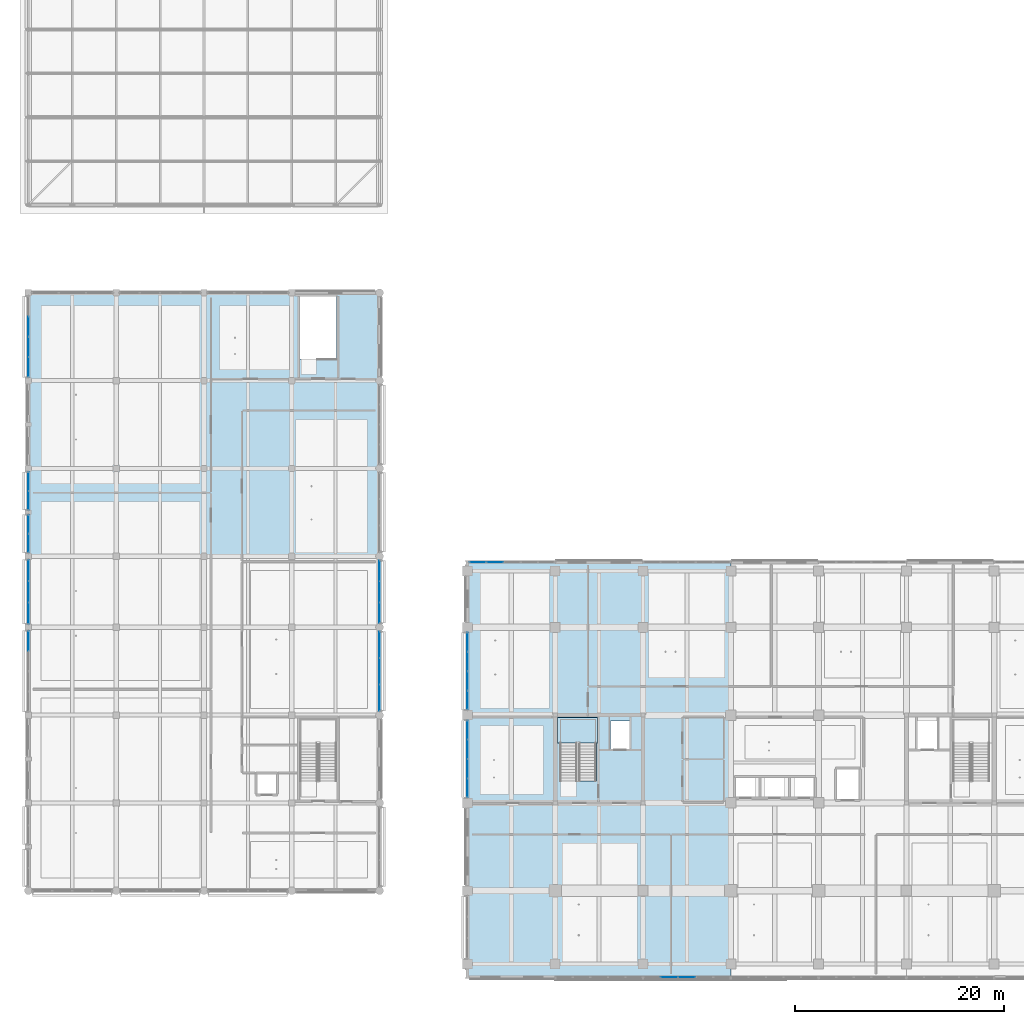
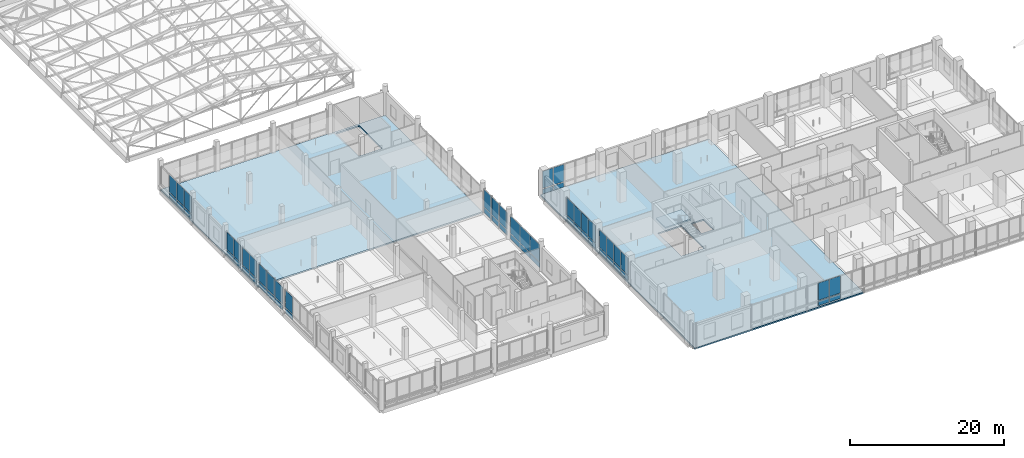
# One storey, part 43 of 122: 58 plates, 3 slabs, 12 elements without a shape of their own.
"""IFC4 building model written with IfcOpenShell, lengths in metres."""

from ifc_helpers import new_model, si_unit, direction, frame, origin, origin_2d, place, context, subcontext, project, spatial, polyline, rectangle, outline, extrude, material, layer, layer_set, type_object, element, aggregate, save


model = new_model("IFC4")

# Units and contexts
model_context = context("Model", 3, precision=1e-05, world=origin(), true_north=direction((0.0, 1.0)))
body_context = subcontext(model_context, "Body", "Model", "MODEL_VIEW")
ifc_project = project(units=[si_unit("LENGTHUNIT", "METRE"), si_unit("AREAUNIT", "SQUARE_METRE"), si_unit("VOLUMEUNIT", "CUBIC_METRE"), si_unit("PLANEANGLEUNIT", "RADIAN"), si_unit("MASSUNIT", "GRAM", prefix="KILO")], contexts=[model_context])

# Site, building, storey
site_placement = place(None, origin())
site = spatial("IfcSite", under=ifc_project, at=site_placement, CompositionType="ELEMENT")
building_placement = place(site_placement, origin())
building = spatial("IfcBuilding", under=site, at=building_placement, Name="Telukmera Botanical Conservatory", CompositionType="ELEMENT")
storey_placement = place(building_placement, frame((0.0, 0.0, 10.199951171875)))
storey = spatial("IfcBuildingStorey", under=building, at=storey_placement, Name="L02", CompositionType="ELEMENT", Elevation=10.199951171875)

# Stair, slab
ifc_material_1 = material(Name="Concrete C40/50", Category="concrete")
stair_type = type_object("IfcStairType", Name="ST-ESC-4800", PredefinedType="HALF_TURN_STAIR", material=ifc_material_1)
stair_placement = place(storey_placement, origin())
stair = element("IfcStair", 1, at=stair_placement, inside=storey, type_object=stair_type, Name="L02 Protected Escape Stair ST1", PredefinedType="HALF_TURN_STAIR")
ifc_layer_1 = layer(ifc_material_1, 0.199951171875)
ifc_layer_set_1 = layer_set([ifc_layer_1], Name="Concrete C40/50")
slab_type_1 = type_object("IfcSlabType", Name="SL-LAND-200", PredefinedType="LANDING", material=ifc_layer_set_1)
slab_1_placement = place(storey_placement, frame((0.0, 0.0, 2.199951171875)))
slab_1 = element("IfcSlab", 2, at=slab_1_placement, type_object=slab_type_1, Name="ST1 landing 1", PredefinedType="LANDING", context=body_context, shape_type="SweptSolid", body=[
    extrude(outline(polyline([(59.0048828125, 31.72998046875), (62.844970703125, 31.72998046875), (62.844970703125, 34.195068359375), (59.0048828125, 34.195068359375), (59.0048828125, 31.72998046875)])), origin(), (0.0, 0.0, 1.0), 0.2001953125),
])
aggregate(stair, [slab_1])

# Slabs
ifc_layer_2 = layer(ifc_material_1, 0.219970703125)
ifc_layer_set_2 = layer_set([ifc_layer_2], Name="Concrete C40/50")
slab_type_2 = type_object("IfcSlabType", Name="Slab_FS22", PredefinedType="FLOOR", material=ifc_layer_set_2)
slab_2_placement = place(storey_placement, frame((0.0, 0.0, -0.219970703125)))
element("IfcSlab", 3, at=slab_2_placement, inside=storey, type_object=slab_type_2, Name="Tower Floor Slab L02 (WEST)", PredefinedType="FLOOR", context=body_context, shape_type="SweptSolid", body=[
    extrude(outline(polyline([(50.39990234375, 9.199951171875), (75.60009765625, 9.199951171875), (75.60009765625, 49.199951171875), (50.39990234375, 49.199951171875), (50.39990234375, 9.199951171875)]), holes=[polyline([(62.72998046875, 28.093017578125), (62.72998046875, 34.050048828125), (59.25, 34.050048828125), (59.25, 28.093017578125), (62.72998046875, 28.093017578125)]), polyline([(64.080078125, 31.179931640625), (65.919921875, 31.179931640625), (65.919921875, 33.820068359375), (64.080078125, 33.820068359375), (64.080078125, 31.179931640625)])]), origin(), (0.0, 0.0, 1.0), 0.219970703125),
])
slab_3_placement = place(storey_placement, frame((0.0, 0.0, -0.219970703125)))
element("IfcSlab", 4, at=slab_3_placement, inside=storey, type_object=slab_type_2, Name="Visitor Centre North Floor Slab L02", PredefinedType="FLOOR", context=body_context, shape_type="SweptSolid", body=[
    extrude(outline(polyline([(8.39990234375, 49.60009765625), (42.0, 49.60009765625), (42.0, 74.800048828125), (8.39990234375, 74.800048828125), (8.39990234375, 49.60009765625)]), holes=[polyline([(37.8798828125, 68.492919921875), (37.8798828125, 74.449951171875), (34.39990234375, 74.449951171875), (34.39990234375, 68.492919921875), (37.8798828125, 68.492919921875)])]), origin(), (0.0, 0.0, 1.0), 0.219970703125),
])

# Curtain wall, plates
ifc_material_2 = material(Name="Anodised aluminium 6063-T6", Category="aluminium")
ifc_layer_3 = layer(ifc_material_2, 0.179931640625)
ifc_layer_set_3 = layer_set([ifc_layer_3], Name="Anodised aluminium 6063-T6")
curtain_wall_type_1 = type_object("IfcCurtainWallType", Name="Visitor Gallery Second Floor Curtain Wall 2400 Mod", PredefinedType="USERDEFINED", material=ifc_layer_set_3)
curtain_wall_1_placement = place(storey_placement, origin())
curtain_wall_1 = element("IfcCurtainWall", 5, at=curtain_wall_1_placement, inside=storey, type_object=curtain_wall_type_1, Name="Unitised Curtain Wall CW09 V3:L02:E3", ObjectType="UNITISED CURTAIN WALL", PredefinedType="USERDEFINED")
ifc_material_3 = material(Name="Spectrally selective low-E double glazing", Category="glass")
ifc_layer_4 = layer(ifc_material_3, 0.0380859375)
ifc_layer_set_4 = layer_set([ifc_layer_4], Name="Spectrally selective low-E double glazing")
plate_type_1 = type_object("IfcPlateType", Name="Solar Control Fritted Spandrel Glazing Panel 38", PredefinedType="CURTAIN_PANEL", material=ifc_layer_set_4)
plate_1_placement = place(storey_placement, frame((42.0, 36.067626953125, 0.130126953125), z_axis=(0.0, 0.0, 1.0), x_axis=(0.0, 1.0, 0.0)))
plate_1 = element("IfcPlate", 6, at=plate_1_placement, type_object=plate_type_1, Name="CW09 panel 1.1", PredefinedType="CURTAIN_PANEL", context=body_context, shape_type="SweptSolid", body=[
    extrude(rectangle(XDim=2.451171875, YDim=0.0380859375, at=origin_2d()), origin(), (0.0, 0.0, 1.0), 0.7548828125),
])
plate_2_placement = place(storey_placement, frame((42.0, 36.067626953125, 1.014892578125), z_axis=(0.0, 0.0, 1.0), x_axis=(0.0, 1.0, 0.0)))
plate_2 = element("IfcPlate", 7, at=plate_2_placement, type_object=plate_type_1, Name="CW09 panel 1.2", PredefinedType="CURTAIN_PANEL", context=body_context, shape_type="SweptSolid", body=[
    extrude(rectangle(XDim=2.451171875, YDim=0.0380859375, at=origin_2d()), origin(), (0.0, 0.0, 1.0), 2.705078125),
])
plate_3_placement = place(storey_placement, frame((42.0, 38.60009765625, 0.130126953125), z_axis=(0.0, 0.0, 1.0), x_axis=(0.0, 1.0, 0.0)))
plate_3 = element("IfcPlate", 8, at=plate_3_placement, type_object=plate_type_1, Name="CW09 panel 2.1", PredefinedType="CURTAIN_PANEL", context=body_context, shape_type="SweptSolid", body=[
    extrude(rectangle(XDim=2.483642578125, YDim=0.0380859375, at=origin_2d()), origin(), (0.0, 0.0, 1.0), 0.7548828125),
])
plate_4_placement = place(storey_placement, frame((42.0, 38.60009765625, 1.014892578125), z_axis=(0.0, 0.0, 1.0), x_axis=(0.0, 1.0, 0.0)))
plate_4 = element("IfcPlate", 9, at=plate_4_placement, type_object=plate_type_1, Name="CW09 panel 2.2", PredefinedType="CURTAIN_PANEL", context=body_context, shape_type="SweptSolid", body=[
    extrude(rectangle(XDim=2.483642578125, YDim=0.0380859375, at=origin_2d()), origin(), (0.0, 0.0, 1.0), 2.705078125),
])
plate_5_placement = place(storey_placement, frame((42.0, 41.13232421875, 0.130126953125), z_axis=(0.0, 0.0, 1.0), x_axis=(0.0, 1.0, 0.0)))
plate_5 = element("IfcPlate", 10, at=plate_5_placement, type_object=plate_type_1, Name="CW09 panel 3.1", PredefinedType="CURTAIN_PANEL", context=body_context, shape_type="SweptSolid", body=[
    extrude(rectangle(XDim=2.451171875, YDim=0.0380859375, at=origin_2d()), origin(), (0.0, 0.0, 1.0), 0.7548828125),
])
plate_6_placement = place(storey_placement, frame((42.0, 41.13232421875, 1.014892578125), z_axis=(0.0, 0.0, 1.0), x_axis=(0.0, 1.0, 0.0)))
plate_6 = element("IfcPlate", 11, at=plate_6_placement, type_object=plate_type_1, Name="CW09 panel 3.2", PredefinedType="CURTAIN_PANEL", context=body_context, shape_type="SweptSolid", body=[
    extrude(rectangle(XDim=2.451171875, YDim=0.0380859375, at=origin_2d()), origin(), (0.0, 0.0, 1.0), 2.705078125),
])
aggregate(curtain_wall_1, [plate_1, plate_2, plate_3, plate_4, plate_5, plate_6])

ifc_layer_5 = layer(ifc_material_2, 0.179931640625)
ifc_layer_set_5 = layer_set([ifc_layer_5], Name="Anodised aluminium 6063-T6")
curtain_wall_type_2 = type_object("IfcCurtainWallType", Name="Visitor Gallery First Floor Curtain Wall 1800 Mod", PredefinedType="USERDEFINED", material=ifc_layer_set_5)
curtain_wall_2_placement = place(storey_placement, origin())
curtain_wall_2 = element("IfcCurtainWall", 12, at=curtain_wall_2_placement, inside=storey, type_object=curtain_wall_type_2, Name="Unitised Curtain Wall CW08 V3:L02:W3", ObjectType="UNITISED CURTAIN WALL", PredefinedType="USERDEFINED")
ifc_layer_6 = layer(ifc_material_3, 0.028076171875)
ifc_layer_set_6 = layer_set([ifc_layer_6], Name="Spectrally selective low-E double glazing")
plate_type_2 = type_object("IfcPlateType", Name="Spectrally Selective Vision Double Glazing Panel 28", PredefinedType="CURTAIN_PANEL", material=ifc_layer_set_6)
plate_7_placement = place(storey_placement, frame((8.39990234375, 41.50732421875, 0.130126953125), z_axis=(0.0, 0.0, 1.0), x_axis=(0.0, 1.0, 0.0)))
plate_7 = element("IfcPlate", 13, at=plate_7_placement, type_object=plate_type_2, Name="CW08 panel 4.1", PredefinedType="CURTAIN_PANEL", context=body_context, shape_type="SweptSolid", body=[
    extrude(rectangle(XDim=1.8515625, YDim=0.028076171875, at=origin_2d()), origin(), (0.0, 0.0, 1.0), 0.7548828125),
])
plate_8_placement = place(storey_placement, frame((8.39990234375, 41.50732421875, 1.014892578125), z_axis=(0.0, 0.0, 1.0), x_axis=(0.0, 1.0, 0.0)))
plate_8 = element("IfcPlate", 14, at=plate_8_placement, type_object=plate_type_2, Name="CW08 panel 4.2", PredefinedType="CURTAIN_PANEL", context=body_context, shape_type="SweptSolid", body=[
    extrude(rectangle(XDim=1.8515625, YDim=0.028076171875, at=origin_2d()), origin(), (0.0, 0.0, 1.0), 2.705078125),
])
aggregate(curtain_wall_2, [plate_7, plate_8])

ifc_layer_7 = layer(ifc_material_2, 0.179931640625)
ifc_layer_set_7 = layer_set([ifc_layer_7], Name="Anodised aluminium 6063-T6")
curtain_wall_type_3 = type_object("IfcCurtainWallType", Name="Visitor Courtyard Narrow Bay Curtain Wall", PredefinedType="USERDEFINED", material=ifc_layer_set_7)
curtain_wall_3_placement = place(storey_placement, origin())
curtain_wall_3 = element("IfcCurtainWall", 15, at=curtain_wall_3_placement, inside=storey, type_object=curtain_wall_type_3, Name="Unitised Curtain Wall CW10 V3:L02:W4", ObjectType="UNITISED CURTAIN WALL", PredefinedType="USERDEFINED")
plate_9_placement = place(storey_placement, frame((8.39990234375, 44.149658203125, 0.10986328125), z_axis=(0.0, 0.0, 1.0), x_axis=(0.0, 1.0, 0.0)))
plate_9 = element("IfcPlate", 16, at=plate_9_placement, type_object=plate_type_2, Name="CW10 panel 1.1", PredefinedType="CURTAIN_PANEL", context=body_context, shape_type="SweptSolid", body=[
    extrude(rectangle(XDim=1.975341796875, YDim=0.028076171875, at=origin_2d()), origin(), (0.0, 0.0, 1.0), 0.784912109375),
])
plate_10_placement = place(storey_placement, frame((8.39990234375, 44.149658203125, 1.0048828125), z_axis=(0.0, 0.0, 1.0), x_axis=(0.0, 1.0, 0.0)))
plate_10 = element("IfcPlate", 17, at=plate_10_placement, type_object=plate_type_2, Name="CW10 panel 1.2", PredefinedType="CURTAIN_PANEL", context=body_context, shape_type="SweptSolid", body=[
    extrude(rectangle(XDim=1.975341796875, YDim=0.028076171875, at=origin_2d()), origin(), (0.0, 0.0, 1.0), 2.735107421875),
])
plate_11_placement = place(storey_placement, frame((8.39990234375, 46.199951171875, 0.10986328125), z_axis=(0.0, 0.0, 1.0), x_axis=(0.0, 1.0, 0.0)))
plate_11 = element("IfcPlate", 18, at=plate_11_placement, type_object=plate_type_2, Name="CW10 panel 2.1", PredefinedType="CURTAIN_PANEL", context=body_context, shape_type="SweptSolid", body=[
    extrude(rectangle(XDim=2.00537109375, YDim=0.028076171875, at=origin_2d()), origin(), (0.0, 0.0, 1.0), 0.784912109375),
])
plate_12_placement = place(storey_placement, frame((8.39990234375, 46.199951171875, 1.0048828125), z_axis=(0.0, 0.0, 1.0), x_axis=(0.0, 1.0, 0.0)))
plate_12 = element("IfcPlate", 19, at=plate_12_placement, type_object=plate_type_2, Name="CW10 panel 2.2", PredefinedType="CURTAIN_PANEL", context=body_context, shape_type="SweptSolid", body=[
    extrude(rectangle(XDim=2.00537109375, YDim=0.028076171875, at=origin_2d()), origin(), (0.0, 0.0, 1.0), 2.735107421875),
])
plate_13_placement = place(storey_placement, frame((8.39990234375, 48.250244140625, 0.10986328125), z_axis=(0.0, 0.0, 1.0), x_axis=(0.0, 1.0, 0.0)))
plate_13 = element("IfcPlate", 20, at=plate_13_placement, type_object=plate_type_2, Name="CW10 panel 3.1", PredefinedType="CURTAIN_PANEL", context=body_context, shape_type="SweptSolid", body=[
    extrude(rectangle(XDim=1.975341796875, YDim=0.028076171875, at=origin_2d()), origin(), (0.0, 0.0, 1.0), 0.784912109375),
])
plate_14_placement = place(storey_placement, frame((8.39990234375, 48.250244140625, 1.0048828125), z_axis=(0.0, 0.0, 1.0), x_axis=(0.0, 1.0, 0.0)))
plate_14 = element("IfcPlate", 21, at=plate_14_placement, type_object=plate_type_2, Name="CW10 panel 3.2", PredefinedType="CURTAIN_PANEL", context=body_context, shape_type="SweptSolid", body=[
    extrude(rectangle(XDim=1.975341796875, YDim=0.028076171875, at=origin_2d()), origin(), (0.0, 0.0, 1.0), 2.735107421875),
])
aggregate(curtain_wall_3, [plate_9, plate_10, plate_11, plate_12, plate_13, plate_14])

curtain_wall_4_placement = place(storey_placement, origin())
curtain_wall_4 = element("IfcCurtainWall", 22, at=curtain_wall_4_placement, inside=storey, type_object=curtain_wall_type_2, Name="Unitised Curtain Wall CW08 V3:L02:W5A", ObjectType="UNITISED CURTAIN WALL", PredefinedType="USERDEFINED")
plate_15_placement = place(storey_placement, frame((8.39990234375, 50.84228515625, 0.130126953125), z_axis=(0.0, 0.0, 1.0), x_axis=(0.0, 1.0, 0.0)))
plate_15 = element("IfcPlate", 23, at=plate_15_placement, type_object=plate_type_2, Name="CW08 panel 1.1", PredefinedType="CURTAIN_PANEL", context=body_context, shape_type="SweptSolid", body=[
    extrude(rectangle(XDim=1.75048828125, YDim=0.028076171875, at=origin_2d()), origin(), (0.0, 0.0, 1.0), 0.7548828125),
])
plate_16_placement = place(storey_placement, frame((8.39990234375, 50.84228515625, 1.014892578125), z_axis=(0.0, 0.0, 1.0), x_axis=(0.0, 1.0, 0.0)))
plate_16 = element("IfcPlate", 24, at=plate_16_placement, type_object=plate_type_2, Name="CW08 panel 1.2", PredefinedType="CURTAIN_PANEL", context=body_context, shape_type="SweptSolid", body=[
    extrude(rectangle(XDim=1.75048828125, YDim=0.028076171875, at=origin_2d()), origin(), (0.0, 0.0, 1.0), 2.705078125),
])
plate_17_placement = place(storey_placement, frame((8.39990234375, 52.65771484375, 0.130126953125), z_axis=(0.0, 0.0, 1.0), x_axis=(0.0, 1.0, 0.0)))
plate_17 = element("IfcPlate", 25, at=plate_17_placement, type_object=plate_type_2, Name="CW08 panel 2.1", PredefinedType="CURTAIN_PANEL", context=body_context, shape_type="SweptSolid", body=[
    extrude(rectangle(XDim=1.75048828125, YDim=0.028076171875, at=origin_2d()), origin(), (0.0, 0.0, 1.0), 0.7548828125),
])
plate_18_placement = place(storey_placement, frame((8.39990234375, 52.65771484375, 1.014892578125), z_axis=(0.0, 0.0, 1.0), x_axis=(0.0, 1.0, 0.0)))
plate_18 = element("IfcPlate", 26, at=plate_18_placement, type_object=plate_type_2, Name="CW08 panel 2.2", PredefinedType="CURTAIN_PANEL", context=body_context, shape_type="SweptSolid", body=[
    extrude(rectangle(XDim=1.75048828125, YDim=0.028076171875, at=origin_2d()), origin(), (0.0, 0.0, 1.0), 2.705078125),
])
aggregate(curtain_wall_4, [plate_15, plate_16, plate_17, plate_18])

curtain_wall_5_placement = place(storey_placement, origin())
curtain_wall_5 = element("IfcCurtainWall", 27, at=curtain_wall_5_placement, inside=storey, type_object=curtain_wall_type_2, Name="Unitised Curtain Wall CW08 V3:L02:W5B", ObjectType="UNITISED CURTAIN WALL", PredefinedType="USERDEFINED")
plate_19_placement = place(storey_placement, frame((8.39990234375, 54.942138671875, 0.130126953125), z_axis=(0.0, 0.0, 1.0), x_axis=(0.0, 1.0, 0.0)))
plate_19 = element("IfcPlate", 28, at=plate_19_placement, type_object=plate_type_2, Name="CW08 panel 1.1", PredefinedType="CURTAIN_PANEL", context=body_context, shape_type="SweptSolid", body=[
    extrude(rectangle(XDim=1.75048828125, YDim=0.028076171875, at=origin_2d()), origin(), (0.0, 0.0, 1.0), 0.7548828125),
])
plate_20_placement = place(storey_placement, frame((8.39990234375, 54.942138671875, 1.014892578125), z_axis=(0.0, 0.0, 1.0), x_axis=(0.0, 1.0, 0.0)))
plate_20 = element("IfcPlate", 29, at=plate_20_placement, type_object=plate_type_2, Name="CW08 panel 1.2", PredefinedType="CURTAIN_PANEL", context=body_context, shape_type="SweptSolid", body=[
    extrude(rectangle(XDim=1.75048828125, YDim=0.028076171875, at=origin_2d()), origin(), (0.0, 0.0, 1.0), 2.705078125),
])
plate_21_placement = place(storey_placement, frame((8.39990234375, 56.7578125, 0.130126953125), z_axis=(0.0, 0.0, 1.0), x_axis=(0.0, 1.0, 0.0)))
plate_21 = element("IfcPlate", 30, at=plate_21_placement, type_object=plate_type_2, Name="CW08 panel 2.1", PredefinedType="CURTAIN_PANEL", context=body_context, shape_type="SweptSolid", body=[
    extrude(rectangle(XDim=1.75048828125, YDim=0.028076171875, at=origin_2d()), origin(), (0.0, 0.0, 1.0), 0.7548828125),
])
plate_22_placement = place(storey_placement, frame((8.39990234375, 56.7578125, 1.014892578125), z_axis=(0.0, 0.0, 1.0), x_axis=(0.0, 1.0, 0.0)))
plate_22 = element("IfcPlate", 31, at=plate_22_placement, type_object=plate_type_2, Name="CW08 panel 2.2", PredefinedType="CURTAIN_PANEL", context=body_context, shape_type="SweptSolid", body=[
    extrude(rectangle(XDim=1.75048828125, YDim=0.028076171875, at=origin_2d()), origin(), (0.0, 0.0, 1.0), 2.705078125),
])
aggregate(curtain_wall_5, [plate_19, plate_20, plate_21, plate_22])

curtain_wall_6_placement = place(storey_placement, origin())
curtain_wall_6 = element("IfcCurtainWall", 32, at=curtain_wall_6_placement, inside=storey, type_object=curtain_wall_type_2, Name="Unitised Curtain Wall CW08 V3:L02:W7", ObjectType="UNITISED CURTAIN WALL", PredefinedType="USERDEFINED")
plate_23_placement = place(storey_placement, frame((8.39990234375, 67.69287109375, 0.130126953125), z_axis=(0.0, 0.0, 1.0), x_axis=(0.0, 1.0, 0.0)))
plate_23 = element("IfcPlate", 33, at=plate_23_placement, type_object=plate_type_2, Name="CW08 panel 1.1", PredefinedType="CURTAIN_PANEL", context=body_context, shape_type="SweptSolid", body=[
    extrude(rectangle(XDim=1.8515625, YDim=0.028076171875, at=origin_2d()), origin(), (0.0, 0.0, 1.0), 0.7548828125),
])
plate_24_placement = place(storey_placement, frame((8.39990234375, 67.69287109375, 1.014892578125), z_axis=(0.0, 0.0, 1.0), x_axis=(0.0, 1.0, 0.0)))
plate_24 = element("IfcPlate", 34, at=plate_24_placement, type_object=plate_type_2, Name="CW08 panel 1.2", PredefinedType="CURTAIN_PANEL", context=body_context, shape_type="SweptSolid", body=[
    extrude(rectangle(XDim=1.8515625, YDim=0.028076171875, at=origin_2d()), origin(), (0.0, 0.0, 1.0), 2.705078125),
])
plate_25_placement = place(storey_placement, frame((8.39990234375, 69.62548828125, 0.130126953125), z_axis=(0.0, 0.0, 1.0), x_axis=(0.0, 1.0, 0.0)))
plate_25 = element("IfcPlate", 35, at=plate_25_placement, type_object=plate_type_2, Name="CW08 panel 2.1", PredefinedType="CURTAIN_PANEL", context=body_context, shape_type="SweptSolid", body=[
    extrude(rectangle(XDim=1.884033203125, YDim=0.028076171875, at=origin_2d()), origin(), (0.0, 0.0, 1.0), 0.7548828125),
])
plate_26_placement = place(storey_placement, frame((8.39990234375, 69.62548828125, 1.014892578125), z_axis=(0.0, 0.0, 1.0), x_axis=(0.0, 1.0, 0.0)))
plate_26 = element("IfcPlate", 36, at=plate_26_placement, type_object=plate_type_2, Name="CW08 panel 2.2", PredefinedType="CURTAIN_PANEL", context=body_context, shape_type="SweptSolid", body=[
    extrude(rectangle(XDim=1.884033203125, YDim=0.028076171875, at=origin_2d()), origin(), (0.0, 0.0, 1.0), 2.705078125),
])
plate_27_placement = place(storey_placement, frame((8.39990234375, 71.574462890625, 0.130126953125), z_axis=(0.0, 0.0, 1.0), x_axis=(0.0, 1.0, 0.0)))
plate_27 = element("IfcPlate", 37, at=plate_27_placement, type_object=plate_type_2, Name="CW08 panel 3.1", PredefinedType="CURTAIN_PANEL", context=body_context, shape_type="SweptSolid", body=[
    extrude(rectangle(XDim=1.884033203125, YDim=0.028076171875, at=origin_2d()), origin(), (0.0, 0.0, 1.0), 0.7548828125),
])
plate_28_placement = place(storey_placement, frame((8.39990234375, 71.574462890625, 1.014892578125), z_axis=(0.0, 0.0, 1.0), x_axis=(0.0, 1.0, 0.0)))
plate_28 = element("IfcPlate", 38, at=plate_28_placement, type_object=plate_type_2, Name="CW08 panel 3.2", PredefinedType="CURTAIN_PANEL", context=body_context, shape_type="SweptSolid", body=[
    extrude(rectangle(XDim=1.884033203125, YDim=0.028076171875, at=origin_2d()), origin(), (0.0, 0.0, 1.0), 2.705078125),
])
aggregate(curtain_wall_6, [plate_23, plate_24, plate_25, plate_26, plate_27, plate_28])

curtain_wall_7_placement = place(storey_placement, origin())
curtain_wall_7 = element("IfcCurtainWall", 39, at=curtain_wall_7_placement, inside=storey, type_object=curtain_wall_type_3, Name="Unitised Curtain Wall CW10 V3:L02:E4", ObjectType="UNITISED CURTAIN WALL", PredefinedType="USERDEFINED")
plate_29_placement = place(storey_placement, frame((42.0, 44.19970703125, 0.10986328125), z_axis=(0.0, 0.0, 1.0), x_axis=(0.0, 1.0, 0.0)))
plate_29 = element("IfcPlate", 40, at=plate_29_placement, type_object=plate_type_2, Name="CW10 panel 1.1", PredefinedType="CURTAIN_PANEL", context=body_context, shape_type="SweptSolid", body=[
    extrude(rectangle(XDim=1.92529296875, YDim=0.028076171875, at=origin_2d()), origin(), (0.0, 0.0, 1.0), 0.784912109375),
])
plate_30_placement = place(storey_placement, frame((42.0, 44.19970703125, 1.0048828125), z_axis=(0.0, 0.0, 1.0), x_axis=(0.0, 1.0, 0.0)))
plate_30 = element("IfcPlate", 41, at=plate_30_placement, type_object=plate_type_2, Name="CW10 panel 1.2", PredefinedType="CURTAIN_PANEL", context=body_context, shape_type="SweptSolid", body=[
    extrude(rectangle(XDim=1.92529296875, YDim=0.028076171875, at=origin_2d()), origin(), (0.0, 0.0, 1.0), 2.735107421875),
])
plate_31_placement = place(storey_placement, frame((42.0, 46.199951171875, 0.10986328125), z_axis=(0.0, 0.0, 1.0), x_axis=(0.0, 1.0, 0.0)))
plate_31 = element("IfcPlate", 42, at=plate_31_placement, type_object=plate_type_2, Name="CW10 panel 2.1", PredefinedType="CURTAIN_PANEL", context=body_context, shape_type="SweptSolid", body=[
    extrude(rectangle(XDim=1.955322265625, YDim=0.028076171875, at=origin_2d()), origin(), (0.0, 0.0, 1.0), 0.784912109375),
])
plate_32_placement = place(storey_placement, frame((42.0, 46.199951171875, 1.0048828125), z_axis=(0.0, 0.0, 1.0), x_axis=(0.0, 1.0, 0.0)))
plate_32 = element("IfcPlate", 43, at=plate_32_placement, type_object=plate_type_2, Name="CW10 panel 2.2", PredefinedType="CURTAIN_PANEL", context=body_context, shape_type="SweptSolid", body=[
    extrude(rectangle(XDim=1.955322265625, YDim=0.028076171875, at=origin_2d()), origin(), (0.0, 0.0, 1.0), 2.735107421875),
])
plate_33_placement = place(storey_placement, frame((42.0, 48.200439453125, 0.10986328125), z_axis=(0.0, 0.0, 1.0), x_axis=(0.0, 1.0, 0.0)))
plate_33 = element("IfcPlate", 44, at=plate_33_placement, type_object=plate_type_2, Name="CW10 panel 3.1", PredefinedType="CURTAIN_PANEL", context=body_context, shape_type="SweptSolid", body=[
    extrude(rectangle(XDim=1.92529296875, YDim=0.028076171875, at=origin_2d()), origin(), (0.0, 0.0, 1.0), 0.784912109375),
])
plate_34_placement = place(storey_placement, frame((42.0, 48.200439453125, 1.0048828125), z_axis=(0.0, 0.0, 1.0), x_axis=(0.0, 1.0, 0.0)))
plate_34 = element("IfcPlate", 45, at=plate_34_placement, type_object=plate_type_2, Name="CW10 panel 3.2", PredefinedType="CURTAIN_PANEL", context=body_context, shape_type="SweptSolid", body=[
    extrude(rectangle(XDim=1.92529296875, YDim=0.028076171875, at=origin_2d()), origin(), (0.0, 0.0, 1.0), 2.735107421875),
])
aggregate(curtain_wall_7, [plate_29, plate_30, plate_31, plate_32, plate_33, plate_34])

ifc_layer_8 = layer(ifc_material_2, 0.179931640625)
ifc_layer_set_8 = layer_set([ifc_layer_8], Name="Anodised aluminium 6063-T6")
curtain_wall_type_4 = type_object("IfcCurtainWallType", Name="Tower Reference Library Curtain Wall", PredefinedType="USERDEFINED", material=ifc_layer_set_8)
curtain_wall_8_placement = place(storey_placement, origin())
curtain_wall_8 = element("IfcCurtainWall", 46, at=curtain_wall_8_placement, inside=storey, type_object=curtain_wall_type_4, Name="Unitised Curtain Wall CW13 V4:L02:S3", ObjectType="UNITISED CURTAIN WALL", PredefinedType="USERDEFINED")
plate_35_placement = place(storey_placement, frame((69.720703125, 9.320068359375, 0.130126953125), z_axis=(0.0, 0.0, 1.0), x_axis=(1.0, 0.0, 0.0)))
plate_35 = element("IfcPlate", 47, at=plate_35_placement, type_object=plate_type_2, Name="CW13 panel 2.1", PredefinedType="CURTAIN_PANEL", context=body_context, shape_type="SweptSolid", body=[
    extrude(rectangle(XDim=1.6142578125, YDim=0.028076171875, at=origin_2d()), origin(), (0.0, 0.0, 1.0), 0.7548828125),
])
plate_36_placement = place(storey_placement, frame((69.720703125, 9.320068359375, 1.014892578125), z_axis=(0.0, 0.0, 1.0), x_axis=(1.0, 0.0, 0.0)))
plate_36 = element("IfcPlate", 48, at=plate_36_placement, type_object=plate_type_2, Name="CW13 panel 2.2", PredefinedType="CURTAIN_PANEL", context=body_context, shape_type="SweptSolid", body=[
    extrude(rectangle(XDim=1.6142578125, YDim=0.028076171875, at=origin_2d()), origin(), (0.0, 0.0, 1.0), 2.705078125),
])
plate_37_placement = place(storey_placement, frame((71.39990234375, 9.320068359375, 0.130126953125), z_axis=(0.0, 0.0, 1.0), x_axis=(1.0, 0.0, 0.0)))
plate_37 = element("IfcPlate", 49, at=plate_37_placement, type_object=plate_type_2, Name="CW13 panel 3.1", PredefinedType="CURTAIN_PANEL", context=body_context, shape_type="SweptSolid", body=[
    extrude(rectangle(XDim=1.6142578125, YDim=0.028076171875, at=origin_2d()), origin(), (0.0, 0.0, 1.0), 0.7548828125),
])
plate_38_placement = place(storey_placement, frame((71.39990234375, 9.320068359375, 1.014892578125), z_axis=(0.0, 0.0, 1.0), x_axis=(1.0, 0.0, 0.0)))
plate_38 = element("IfcPlate", 50, at=plate_38_placement, type_object=plate_type_2, Name="CW13 panel 3.2", PredefinedType="CURTAIN_PANEL", context=body_context, shape_type="SweptSolid", body=[
    extrude(rectangle(XDim=1.6142578125, YDim=0.028076171875, at=origin_2d()), origin(), (0.0, 0.0, 1.0), 2.705078125),
])
aggregate(curtain_wall_8, [plate_35, plate_36, plate_37, plate_38])

curtain_wall_9_placement = place(storey_placement, origin())
curtain_wall_9 = element("IfcCurtainWall", 51, at=curtain_wall_9_placement, inside=storey, type_object=curtain_wall_type_4, Name="Unitised Curtain Wall CW13 V4:L02:N1", ObjectType="UNITISED CURTAIN WALL", PredefinedType="USERDEFINED")
plate_39_placement = place(storey_placement, frame((51.392822265625, 49.02001953125, 0.130126953125), z_axis=(0.0, 0.0, 1.0), x_axis=(1.0, 0.0, 0.0)))
plate_39 = element("IfcPlate", 52, at=plate_39_placement, type_object=plate_type_2, Name="CW13 panel 1.1", PredefinedType="CURTAIN_PANEL", context=body_context, shape_type="SweptSolid", body=[
    extrude(rectangle(XDim=1.5517578125, YDim=0.028076171875, at=origin_2d()), origin(), (0.0, 0.0, 1.0), 0.7548828125),
])
plate_40_placement = place(storey_placement, frame((51.392822265625, 49.02001953125, 1.014892578125), z_axis=(0.0, 0.0, 1.0), x_axis=(1.0, 0.0, 0.0)))
plate_40 = element("IfcPlate", 53, at=plate_40_placement, type_object=plate_type_2, Name="CW13 panel 1.2", PredefinedType="CURTAIN_PANEL", context=body_context, shape_type="SweptSolid", body=[
    extrude(rectangle(XDim=1.5517578125, YDim=0.028076171875, at=origin_2d()), origin(), (0.0, 0.0, 1.0), 2.705078125),
])
plate_41_placement = place(storey_placement, frame((53.02587890625, 49.02001953125, 0.130126953125), z_axis=(0.0, 0.0, 1.0), x_axis=(1.0, 0.0, 0.0)))
plate_41 = element("IfcPlate", 54, at=plate_41_placement, type_object=plate_type_2, Name="CW13 panel 2.1", PredefinedType="CURTAIN_PANEL", context=body_context, shape_type="SweptSolid", body=[
    extrude(rectangle(XDim=1.584228515625, YDim=0.028076171875, at=origin_2d()), origin(), (0.0, 0.0, 1.0), 0.7548828125),
])
plate_42_placement = place(storey_placement, frame((53.02587890625, 49.02001953125, 1.014892578125), z_axis=(0.0, 0.0, 1.0), x_axis=(1.0, 0.0, 0.0)))
plate_42 = element("IfcPlate", 55, at=plate_42_placement, type_object=plate_type_2, Name="CW13 panel 2.2", PredefinedType="CURTAIN_PANEL", context=body_context, shape_type="SweptSolid", body=[
    extrude(rectangle(XDim=1.584228515625, YDim=0.028076171875, at=origin_2d()), origin(), (0.0, 0.0, 1.0), 2.705078125),
])
aggregate(curtain_wall_9, [plate_39, plate_40, plate_41, plate_42])

curtain_wall_10_placement = place(storey_placement, origin())
curtain_wall_10 = element("IfcCurtainWall", 56, at=curtain_wall_10_placement, inside=storey, type_object=curtain_wall_type_4, Name="Unitised Curtain Wall CW13 V4:L02:W3", ObjectType="UNITISED CURTAIN WALL", PredefinedType="USERDEFINED")
plate_43_placement = place(storey_placement, frame((50.39990234375, 27.424072265625, 0.130126953125), z_axis=(0.0, 0.0, 1.0), x_axis=(0.0, 1.0, 0.0)))
plate_43 = element("IfcPlate", 57, at=plate_43_placement, type_object=plate_type_2, Name="CW13 panel 1.1", PredefinedType="CURTAIN_PANEL", context=body_context, shape_type="SweptSolid", body=[
    extrude(rectangle(XDim=1.763916015625, YDim=0.028076171875, at=origin_2d()), origin(), (0.0, 0.0, 1.0), 0.7548828125),
])
plate_44_placement = place(storey_placement, frame((50.39990234375, 27.424072265625, 1.014892578125), z_axis=(0.0, 0.0, 1.0), x_axis=(0.0, 1.0, 0.0)))
plate_44 = element("IfcPlate", 58, at=plate_44_placement, type_object=plate_type_2, Name="CW13 panel 1.2", PredefinedType="CURTAIN_PANEL", context=body_context, shape_type="SweptSolid", body=[
    extrude(rectangle(XDim=1.763916015625, YDim=0.028076171875, at=origin_2d()), origin(), (0.0, 0.0, 1.0), 2.705078125),
])
plate_45_placement = place(storey_placement, frame((50.39990234375, 29.269287109375, 0.130126953125), z_axis=(0.0, 0.0, 1.0), x_axis=(0.0, 1.0, 0.0)))
plate_45 = element("IfcPlate", 59, at=plate_45_placement, type_object=plate_type_2, Name="CW13 panel 2.1", PredefinedType="CURTAIN_PANEL", context=body_context, shape_type="SweptSolid", body=[
    extrude(rectangle(XDim=1.79638671875, YDim=0.028076171875, at=origin_2d()), origin(), (0.0, 0.0, 1.0), 0.7548828125),
])
plate_46_placement = place(storey_placement, frame((50.39990234375, 29.269287109375, 1.014892578125), z_axis=(0.0, 0.0, 1.0), x_axis=(0.0, 1.0, 0.0)))
plate_46 = element("IfcPlate", 60, at=plate_46_placement, type_object=plate_type_2, Name="CW13 panel 2.2", PredefinedType="CURTAIN_PANEL", context=body_context, shape_type="SweptSolid", body=[
    extrude(rectangle(XDim=1.79638671875, YDim=0.028076171875, at=origin_2d()), origin(), (0.0, 0.0, 1.0), 2.705078125),
])
plate_47_placement = place(storey_placement, frame((50.39990234375, 31.130859375, 0.130126953125), z_axis=(0.0, 0.0, 1.0), x_axis=(0.0, 1.0, 0.0)))
plate_47 = element("IfcPlate", 61, at=plate_47_placement, type_object=plate_type_2, Name="CW13 panel 3.1", PredefinedType="CURTAIN_PANEL", context=body_context, shape_type="SweptSolid", body=[
    extrude(rectangle(XDim=1.79638671875, YDim=0.028076171875, at=origin_2d()), origin(), (0.0, 0.0, 1.0), 0.7548828125),
])
plate_48_placement = place(storey_placement, frame((50.39990234375, 31.130859375, 1.014892578125), z_axis=(0.0, 0.0, 1.0), x_axis=(0.0, 1.0, 0.0)))
plate_48 = element("IfcPlate", 62, at=plate_48_placement, type_object=plate_type_2, Name="CW13 panel 3.2", PredefinedType="CURTAIN_PANEL", context=body_context, shape_type="SweptSolid", body=[
    extrude(rectangle(XDim=1.79638671875, YDim=0.028076171875, at=origin_2d()), origin(), (0.0, 0.0, 1.0), 2.705078125),
])
plate_49_placement = place(storey_placement, frame((50.39990234375, 32.97607421875, 0.130126953125), z_axis=(0.0, 0.0, 1.0), x_axis=(0.0, 1.0, 0.0)))
plate_49 = element("IfcPlate", 63, at=plate_49_placement, type_object=plate_type_2, Name="CW13 panel 4.1", PredefinedType="CURTAIN_PANEL", context=body_context, shape_type="SweptSolid", body=[
    extrude(rectangle(XDim=1.763916015625, YDim=0.028076171875, at=origin_2d()), origin(), (0.0, 0.0, 1.0), 0.7548828125),
])
plate_50_placement = place(storey_placement, frame((50.39990234375, 32.97607421875, 1.014892578125), z_axis=(0.0, 0.0, 1.0), x_axis=(0.0, 1.0, 0.0)))
plate_50 = element("IfcPlate", 64, at=plate_50_placement, type_object=plate_type_2, Name="CW13 panel 4.2", PredefinedType="CURTAIN_PANEL", context=body_context, shape_type="SweptSolid", body=[
    extrude(rectangle(XDim=1.763916015625, YDim=0.028076171875, at=origin_2d()), origin(), (0.0, 0.0, 1.0), 2.705078125),
])
aggregate(curtain_wall_10, [plate_43, plate_44, plate_45, plate_46, plate_47, plate_48, plate_49, plate_50])

curtain_wall_11_placement = place(storey_placement, origin())
curtain_wall_11 = element("IfcCurtainWall", 65, at=curtain_wall_11_placement, inside=storey, type_object=curtain_wall_type_4, Name="Unitised Curtain Wall CW13 V4:L02:W4", ObjectType="UNITISED CURTAIN WALL", PredefinedType="USERDEFINED")
plate_51_placement = place(storey_placement, frame((50.39990234375, 35.823974609375, 0.130126953125), z_axis=(0.0, 0.0, 1.0), x_axis=(0.0, 1.0, 0.0)))
plate_51 = element("IfcPlate", 66, at=plate_51_placement, type_object=plate_type_2, Name="CW13 panel 1.1", PredefinedType="CURTAIN_PANEL", context=body_context, shape_type="SweptSolid", body=[
    extrude(rectangle(XDim=1.763916015625, YDim=0.028076171875, at=origin_2d()), origin(), (0.0, 0.0, 1.0), 0.7548828125),
])
plate_52_placement = place(storey_placement, frame((50.39990234375, 35.823974609375, 1.014892578125), z_axis=(0.0, 0.0, 1.0), x_axis=(0.0, 1.0, 0.0)))
plate_52 = element("IfcPlate", 67, at=plate_52_placement, type_object=plate_type_2, Name="CW13 panel 1.2", PredefinedType="CURTAIN_PANEL", context=body_context, shape_type="SweptSolid", body=[
    extrude(rectangle(XDim=1.763916015625, YDim=0.028076171875, at=origin_2d()), origin(), (0.0, 0.0, 1.0), 2.705078125),
])
plate_53_placement = place(storey_placement, frame((50.39990234375, 37.669189453125, 0.130126953125), z_axis=(0.0, 0.0, 1.0), x_axis=(0.0, 1.0, 0.0)))
plate_53 = element("IfcPlate", 68, at=plate_53_placement, type_object=plate_type_2, Name="CW13 panel 2.1", PredefinedType="CURTAIN_PANEL", context=body_context, shape_type="SweptSolid", body=[
    extrude(rectangle(XDim=1.79638671875, YDim=0.028076171875, at=origin_2d()), origin(), (0.0, 0.0, 1.0), 0.7548828125),
])
plate_54_placement = place(storey_placement, frame((50.39990234375, 37.669189453125, 1.014892578125), z_axis=(0.0, 0.0, 1.0), x_axis=(0.0, 1.0, 0.0)))
plate_54 = element("IfcPlate", 69, at=plate_54_placement, type_object=plate_type_2, Name="CW13 panel 2.2", PredefinedType="CURTAIN_PANEL", context=body_context, shape_type="SweptSolid", body=[
    extrude(rectangle(XDim=1.79638671875, YDim=0.028076171875, at=origin_2d()), origin(), (0.0, 0.0, 1.0), 2.705078125),
])
plate_55_placement = place(storey_placement, frame((50.39990234375, 39.53076171875, 0.130126953125), z_axis=(0.0, 0.0, 1.0), x_axis=(0.0, 1.0, 0.0)))
plate_55 = element("IfcPlate", 70, at=plate_55_placement, type_object=plate_type_2, Name="CW13 panel 3.1", PredefinedType="CURTAIN_PANEL", context=body_context, shape_type="SweptSolid", body=[
    extrude(rectangle(XDim=1.79638671875, YDim=0.028076171875, at=origin_2d()), origin(), (0.0, 0.0, 1.0), 0.7548828125),
])
plate_56_placement = place(storey_placement, frame((50.39990234375, 39.53076171875, 1.014892578125), z_axis=(0.0, 0.0, 1.0), x_axis=(0.0, 1.0, 0.0)))
plate_56 = element("IfcPlate", 71, at=plate_56_placement, type_object=plate_type_2, Name="CW13 panel 3.2", PredefinedType="CURTAIN_PANEL", context=body_context, shape_type="SweptSolid", body=[
    extrude(rectangle(XDim=1.79638671875, YDim=0.028076171875, at=origin_2d()), origin(), (0.0, 0.0, 1.0), 2.705078125),
])
plate_57_placement = place(storey_placement, frame((50.39990234375, 41.3759765625, 0.130126953125), z_axis=(0.0, 0.0, 1.0), x_axis=(0.0, 1.0, 0.0)))
plate_57 = element("IfcPlate", 72, at=plate_57_placement, type_object=plate_type_2, Name="CW13 panel 4.1", PredefinedType="CURTAIN_PANEL", context=body_context, shape_type="SweptSolid", body=[
    extrude(rectangle(XDim=1.763916015625, YDim=0.028076171875, at=origin_2d()), origin(), (0.0, 0.0, 1.0), 0.7548828125),
])
plate_58_placement = place(storey_placement, frame((50.39990234375, 41.3759765625, 1.014892578125), z_axis=(0.0, 0.0, 1.0), x_axis=(0.0, 1.0, 0.0)))
plate_58 = element("IfcPlate", 73, at=plate_58_placement, type_object=plate_type_2, Name="CW13 panel 4.2", PredefinedType="CURTAIN_PANEL", context=body_context, shape_type="SweptSolid", body=[
    extrude(rectangle(XDim=1.763916015625, YDim=0.028076171875, at=origin_2d()), origin(), (0.0, 0.0, 1.0), 2.705078125),
])
aggregate(curtain_wall_11, [plate_51, plate_52, plate_53, plate_54, plate_55, plate_56, plate_57, plate_58])

save(model, "model.ifc")
